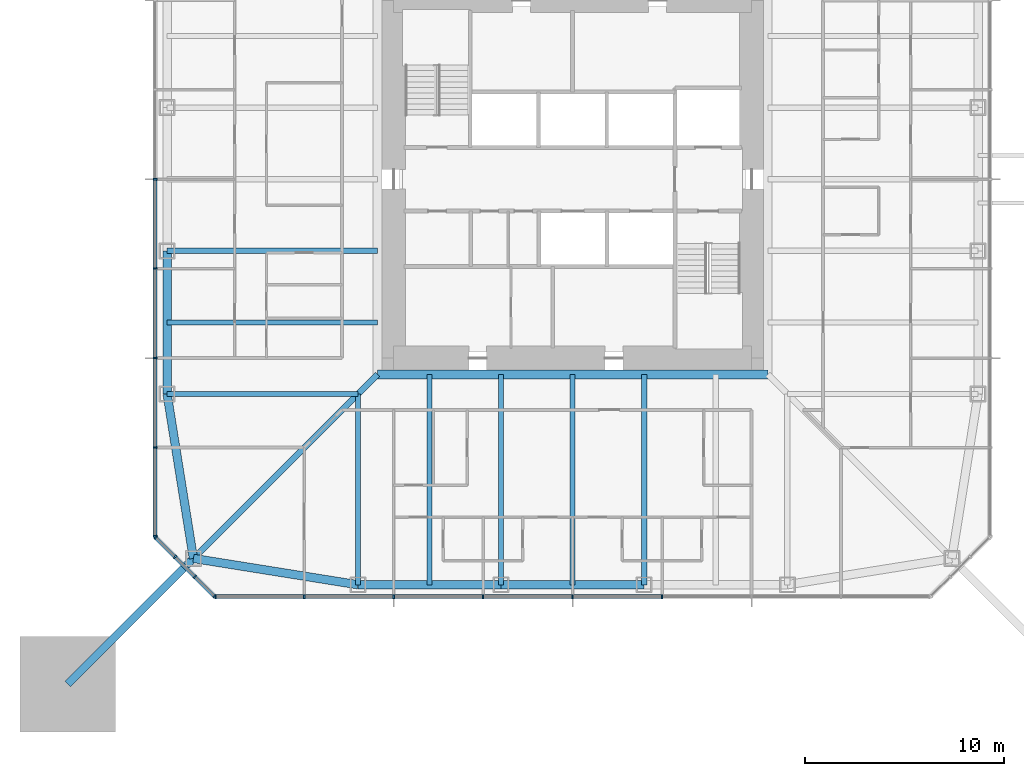
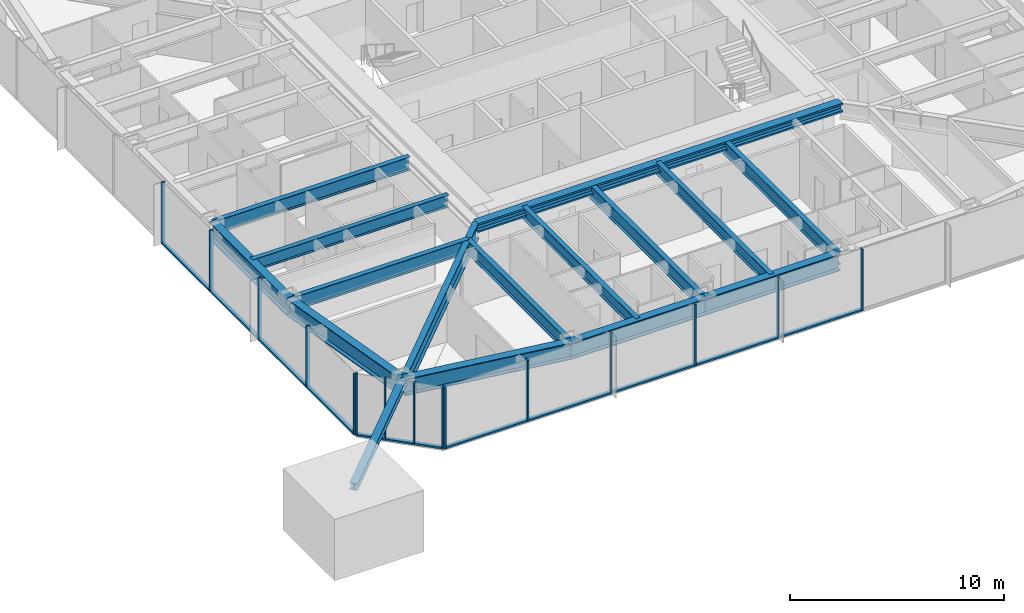
# One storey, part 3 of 27: 28 members, 15 beams, 3 elements without a shape of their own.
"""IFC4 building model written with IfcOpenShell, lengths in metres."""

from ifc_helpers import new_model, si_unit, direction, frame, origin, origin_2d, place, context, subcontext, project, spatial, rectangle, i_section, extrude, material, material_profile, profile_set, type_object, element, aggregate, save


model = new_model("IFC4")

# Units and contexts
model_context = context("Model", 3, precision=1e-05, world=origin(), true_north=direction((0.0, 1.0)))
body_context = subcontext(model_context, "Body", "Model", "MODEL_VIEW")
ifc_project = project(units=[si_unit("LENGTHUNIT", "METRE"), si_unit("AREAUNIT", "SQUARE_METRE"), si_unit("VOLUMEUNIT", "CUBIC_METRE"), si_unit("PLANEANGLEUNIT", "RADIAN"), si_unit("MASSUNIT", "GRAM", prefix="KILO")], contexts=[model_context])

# Site, building, storey
site_placement = place(None, origin())
site = spatial("IfcSite", under=ifc_project, at=site_placement, CompositionType="ELEMENT")
building_placement = place(site_placement, origin())
building = spatial("IfcBuilding", under=site, at=building_placement, Name="Iwan Alto Co-Living Towers", CompositionType="ELEMENT")
storey_placement = place(building_placement, frame((0.0, 0.0, 94.5)))
storey = spatial("IfcBuildingStorey", under=building, at=storey_placement, Name="L25", CompositionType="ELEMENT", Elevation=94.5)

# Curtain wall, members
ifc_material_1 = material(Name="Bronze aluminium unitised frame", Category="aluminium")
curtain_wall_type_1 = type_object("IfcCurtainWallType", Name="CURTAIN WALL CW-A", PredefinedType="NOTDEFINED", material=ifc_material_1)
curtain_wall_1_placement = place(storey_placement, origin())
curtain_wall_1 = element("IfcCurtainWall", 1, at=curtain_wall_1_placement, inside=storey, type_object=curtain_wall_type_1, Name="T1 curtain wall S L25", PredefinedType="NOTDEFINED")
ifc_material_2 = material(Name="Aluminium 6063-T6 bronze anodised", Category="aluminium")
ifc_material_profile_1 = material_profile(ifc_material_2, rectangle(XDim=0.199951171875, YDim=0.080078125, at=origin_2d()), Name="AL 80X200")
ifc_profile_set_1 = profile_set([ifc_material_profile_1], Name="Aluminium 6063-T6 bronze anodised")
member_type_1 = type_object("IfcMemberType", Name="CW-A MULLION 80X200", PredefinedType="MULLION", material=ifc_profile_set_1)
member_1_placement = place(storey_placement, frame((-17.9599609375, -21.0, 0.0), z_axis=(0.0, 0.0, 1.0), x_axis=(0.0, 1.0, 0.0)))
member_1 = element("IfcMember", 2, at=member_1_placement, type_object=member_type_1, Name="CW-A mullion 1", PredefinedType="MULLION", context=body_context, shape_type="SweptSolid", body=[
    extrude(rectangle(XDim=0.199951171875, YDim=0.080078125, at=origin_2d()), origin(), (0.0, 0.0, 1.0), 3.5),
])
member_2_placement = place(storey_placement, frame((-13.5, -21.0, 0.0), z_axis=(0.0, 0.0, 1.0), x_axis=(0.0, 1.0, 0.0)))
member_2 = element("IfcMember", 3, at=member_2_placement, type_object=member_type_1, Name="CW-A mullion 2", PredefinedType="MULLION", context=body_context, shape_type="SweptSolid", body=[
    extrude(rectangle(XDim=0.199951171875, YDim=0.080078125, at=origin_2d()), origin(), (0.0, 0.0, 1.0), 3.5),
])
member_3_placement = place(storey_placement, frame((-9.0, -21.0, 0.0), z_axis=(0.0, 0.0, 1.0), x_axis=(0.0, 1.0, 0.0)))
member_3 = element("IfcMember", 4, at=member_3_placement, type_object=member_type_1, Name="CW-A mullion 3", PredefinedType="MULLION", context=body_context, shape_type="SweptSolid", body=[
    extrude(rectangle(XDim=0.199951171875, YDim=0.080078125, at=origin_2d()), origin(), (0.0, 0.0, 1.0), 3.5),
])
member_4_placement = place(storey_placement, frame((-4.5, -21.0, 0.0), z_axis=(0.0, 0.0, 1.0), x_axis=(0.0, 1.0, 0.0)))
member_4 = element("IfcMember", 5, at=member_4_placement, type_object=member_type_1, Name="CW-A mullion 4", PredefinedType="MULLION", context=body_context, shape_type="SweptSolid", body=[
    extrude(rectangle(XDim=0.199951171875, YDim=0.080078125, at=origin_2d()), origin(), (0.0, 0.0, 1.0), 3.5),
])
member_5_placement = place(storey_placement, frame((0.0, -21.0, 0.0), z_axis=(0.0, 0.0, 1.0), x_axis=(0.0, 1.0, 0.0)))
member_5 = element("IfcMember", 6, at=member_5_placement, type_object=member_type_1, Name="CW-A mullion 5", PredefinedType="MULLION", context=body_context, shape_type="SweptSolid", body=[
    extrude(rectangle(XDim=0.199951171875, YDim=0.080078125, at=origin_2d()), origin(), (0.0, 0.0, 1.0), 3.5),
])
member_6_placement = place(storey_placement, frame((4.5, -21.0, 0.0), z_axis=(0.0, 0.0, 1.0), x_axis=(0.0, 1.0, 0.0)))
member_6 = element("IfcMember", 7, at=member_6_placement, type_object=member_type_1, Name="CW-A mullion 6", PredefinedType="MULLION", context=body_context, shape_type="SweptSolid", body=[
    extrude(rectangle(XDim=0.199951171875, YDim=0.080078125, at=origin_2d()), origin(), (0.0, 0.0, 1.0), 3.5),
])

curtain_wall_2_placement = place(storey_placement, origin())
curtain_wall_2 = element("IfcCurtainWall", 8, at=curtain_wall_2_placement, inside=storey, type_object=curtain_wall_type_1, Name="T1 curtain wall W L25", PredefinedType="NOTDEFINED")
member_7_placement = place(storey_placement, frame((-21.0, 0.0, 0.0), z_axis=(0.0, 0.0, 1.0), x_axis=(1.0, 0.0, 0.0)))
member_7 = element("IfcMember", 9, at=member_7_placement, type_object=member_type_1, Name="CW-A mullion 5", PredefinedType="MULLION", context=body_context, shape_type="SweptSolid", body=[
    extrude(rectangle(XDim=0.199951171875, YDim=0.080078125, at=origin_2d()), origin(), (0.0, 0.0, 1.0), 3.5),
])
member_8_placement = place(storey_placement, frame((-21.0, -4.5, 0.0), z_axis=(0.0, 0.0, 1.0), x_axis=(1.0, 0.0, 0.0)))
member_8 = element("IfcMember", 10, at=member_8_placement, type_object=member_type_1, Name="CW-A mullion 6", PredefinedType="MULLION", context=body_context, shape_type="SweptSolid", body=[
    extrude(rectangle(XDim=0.199951171875, YDim=0.080078125, at=origin_2d()), origin(), (0.0, 0.0, 1.0), 3.5),
])
member_9_placement = place(storey_placement, frame((-21.0, -9.0, 0.0), z_axis=(0.0, 0.0, 1.0), x_axis=(1.0, 0.0, 0.0)))
member_9 = element("IfcMember", 11, at=member_9_placement, type_object=member_type_1, Name="CW-A mullion 7", PredefinedType="MULLION", context=body_context, shape_type="SweptSolid", body=[
    extrude(rectangle(XDim=0.199951171875, YDim=0.080078125, at=origin_2d()), origin(), (0.0, 0.0, 1.0), 3.5),
])
member_10_placement = place(storey_placement, frame((-21.0, -13.5, 0.0), z_axis=(0.0, 0.0, 1.0), x_axis=(1.0, 0.0, 0.0)))
member_10 = element("IfcMember", 12, at=member_10_placement, type_object=member_type_1, Name="CW-A mullion 8", PredefinedType="MULLION", context=body_context, shape_type="SweptSolid", body=[
    extrude(rectangle(XDim=0.199951171875, YDim=0.080078125, at=origin_2d()), origin(), (0.0, 0.0, 1.0), 3.5),
])
member_11_placement = place(storey_placement, frame((-21.0, -17.9599609375, 0.0), z_axis=(0.0, 0.0, 1.0), x_axis=(1.0, 0.0, 0.0)))
member_11 = element("IfcMember", 13, at=member_11_placement, type_object=member_type_1, Name="CW-A mullion 9", PredefinedType="MULLION", context=body_context, shape_type="SweptSolid", body=[
    extrude(rectangle(XDim=0.199951171875, YDim=0.080078125, at=origin_2d()), origin(), (0.0, 0.0, 1.0), 3.5),
])

# Member
ifc_material_3 = material(Name="Aluminium 6063-T6 bronze anodised", Category="aluminium")
ifc_material_profile_2 = material_profile(ifc_material_3, rectangle(XDim=0.199951171875, YDim=0.10009765625, at=origin_2d()), Name="AL 200X100")
ifc_profile_set_2 = profile_set([ifc_material_profile_2], Name="Aluminium 6063-T6 bronze anodised")
member_type_2 = type_object("IfcMemberType", Name="CW-A TRANSOM 200X100", PredefinedType="USERDEFINED", material=ifc_profile_set_2)
member_12_placement = place(storey_placement, frame((-17.919921875, -21.0, 0.050048828125), z_axis=(1.0, 0.0, 0.0), x_axis=(0.0, 1.0, 0.0)))
member_12 = element("IfcMember", 14, at=member_12_placement, type_object=member_type_2, Name="CW-A transom 1.1", ObjectType="TRANSOM", PredefinedType="USERDEFINED", context=body_context, shape_type="SweptSolid", body=[
    extrude(rectangle(XDim=0.199951171875, YDim=0.10009765625, at=origin_2d()), origin(), (0.0, 0.0, 1.0), 4.3798828125),
])

member_13_placement = place(storey_placement, frame((-13.4599609375, -21.0, 0.050048828125), z_axis=(1.0, 0.0, 0.0), x_axis=(0.0, 1.0, 0.0)))
member_13 = element("IfcMember", 15, at=member_13_placement, type_object=member_type_2, Name="CW-A transom 2.1", ObjectType="TRANSOM", PredefinedType="USERDEFINED", context=body_context, shape_type="SweptSolid", body=[
    extrude(rectangle(XDim=0.199951171875, YDim=0.10009765625, at=origin_2d()), origin(), (0.0, 0.0, 1.0), 4.419921875),
])

member_14_placement = place(storey_placement, frame((-8.9599609375, -21.0, 0.050048828125), z_axis=(1.0, 0.0, 0.0), x_axis=(0.0, 1.0, 0.0)))
member_14 = element("IfcMember", 16, at=member_14_placement, type_object=member_type_2, Name="CW-A transom 3.1", ObjectType="TRANSOM", PredefinedType="USERDEFINED", context=body_context, shape_type="SweptSolid", body=[
    extrude(rectangle(XDim=0.199951171875, YDim=0.10009765625, at=origin_2d()), origin(), (0.0, 0.0, 1.0), 4.419921875),
])

member_15_placement = place(storey_placement, frame((-4.4599609375, -21.0, 0.050048828125), z_axis=(1.0, 0.0, 0.0), x_axis=(0.0, 1.0, 0.0)))
member_15 = element("IfcMember", 17, at=member_15_placement, type_object=member_type_2, Name="CW-A transom 4.1", ObjectType="TRANSOM", PredefinedType="USERDEFINED", context=body_context, shape_type="SweptSolid", body=[
    extrude(rectangle(XDim=0.199951171875, YDim=0.10009765625, at=origin_2d()), origin(), (0.0, 0.0, 1.0), 4.419921875),
])

member_16_placement = place(storey_placement, frame((0.0400390625, -21.0, 0.050048828125), z_axis=(1.0, 0.0, 0.0), x_axis=(0.0, 1.0, 0.0)))
member_16 = element("IfcMember", 18, at=member_16_placement, type_object=member_type_2, Name="CW-A transom 5.1", ObjectType="TRANSOM", PredefinedType="USERDEFINED", context=body_context, shape_type="SweptSolid", body=[
    extrude(rectangle(XDim=0.199951171875, YDim=0.10009765625, at=origin_2d()), origin(), (0.0, 0.0, 1.0), 4.419921875),
])

aggregate(curtain_wall_1, [member_1, member_2, member_3, member_4, member_5, member_6, member_12, member_13, member_14, member_15, member_16])

member_17_placement = place(storey_placement, frame((-21.0, -0.0400390625, 0.050048828125), z_axis=(0.0, -1.0, 0.0), x_axis=(1.0, 0.0, 0.0)))
member_17 = element("IfcMember", 19, at=member_17_placement, type_object=member_type_2, Name="CW-A transom 5.1", ObjectType="TRANSOM", PredefinedType="USERDEFINED", context=body_context, shape_type="SweptSolid", body=[
    extrude(rectangle(XDim=0.199951171875, YDim=0.10009765625, at=origin_2d()), origin(), (0.0, 0.0, 1.0), 4.419921875),
])

member_18_placement = place(storey_placement, frame((-21.0, -4.5400390625, 0.050048828125), z_axis=(0.0, -1.0, 0.0), x_axis=(1.0, 0.0, 0.0)))
member_18 = element("IfcMember", 20, at=member_18_placement, type_object=member_type_2, Name="CW-A transom 6.1", ObjectType="TRANSOM", PredefinedType="USERDEFINED", context=body_context, shape_type="SweptSolid", body=[
    extrude(rectangle(XDim=0.199951171875, YDim=0.10009765625, at=origin_2d()), origin(), (0.0, 0.0, 1.0), 4.419921875),
])

member_19_placement = place(storey_placement, frame((-21.0, -9.0400390625, 0.050048828125), z_axis=(0.0, -1.0, 0.0), x_axis=(1.0, 0.0, 0.0)))
member_19 = element("IfcMember", 21, at=member_19_placement, type_object=member_type_2, Name="CW-A transom 7.1", ObjectType="TRANSOM", PredefinedType="USERDEFINED", context=body_context, shape_type="SweptSolid", body=[
    extrude(rectangle(XDim=0.199951171875, YDim=0.10009765625, at=origin_2d()), origin(), (0.0, 0.0, 1.0), 4.419921875),
])

member_20_placement = place(storey_placement, frame((-21.0, -13.5400390625, 0.050048828125), z_axis=(0.0, -1.0, 0.0), x_axis=(1.0, 0.0, 0.0)))
member_20 = element("IfcMember", 22, at=member_20_placement, type_object=member_type_2, Name="CW-A transom 8.1", ObjectType="TRANSOM", PredefinedType="USERDEFINED", context=body_context, shape_type="SweptSolid", body=[
    extrude(rectangle(XDim=0.199951171875, YDim=0.10009765625, at=origin_2d()), origin(), (0.0, 0.0, 1.0), 4.3798828125),
])

aggregate(curtain_wall_2, [member_7, member_8, member_9, member_10, member_11, member_17, member_18, member_19, member_20])

# Curtain wall, members
ifc_material_4 = material(Name="Bronze aluminium unitised frame", Category="aluminium")
curtain_wall_type_2 = type_object("IfcCurtainWallType", Name="CURTAIN WALL CW-B", PredefinedType="NOTDEFINED", material=ifc_material_4)
curtain_wall_3_placement = place(storey_placement, origin())
curtain_wall_3 = element("IfcCurtainWall", 23, at=curtain_wall_3_placement, inside=storey, type_object=curtain_wall_type_2, Name="T1 chamfer curtain wall SW L25", PredefinedType="NOTDEFINED")
ifc_material_5 = material(Name="Aluminium 6063-T6 bronze anodised", Category="aluminium")
ifc_material_profile_3 = material_profile(ifc_material_5, rectangle(XDim=0.199951171875, YDim=0.080078125, at=origin_2d()), Name="AL 80X200")
ifc_profile_set_3 = profile_set([ifc_material_profile_3], Name="Aluminium 6063-T6 bronze anodised")
member_type_3 = type_object("IfcMemberType", Name="CW-B MULLION 80X200", PredefinedType="MULLION", material=ifc_profile_set_3)
member_21_placement = place(storey_placement, frame((-20.9716796875, -18.0283203125, 0.0), z_axis=(0.0, 0.0, 1.0), x_axis=(0.707106781187, 0.707106781187, 0.0)))
member_21 = element("IfcMember", 24, at=member_21_placement, type_object=member_type_3, Name="CW-B mullion 1", PredefinedType="MULLION", context=body_context, shape_type="SweptSolid", body=[
    extrude(rectangle(XDim=0.199951171875, YDim=0.080078125, at=origin_2d()), origin(), (0.0, 0.0, 1.0), 3.5),
])
member_22_placement = place(storey_placement, frame((-20.0, -19.0, 0.0), z_axis=(0.0, 0.0, 1.0), x_axis=(0.707106781187, 0.707106781187, 0.0)))
member_22 = element("IfcMember", 25, at=member_22_placement, type_object=member_type_3, Name="CW-B mullion 2", PredefinedType="MULLION", context=body_context, shape_type="SweptSolid", body=[
    extrude(rectangle(XDim=0.199951171875, YDim=0.080078125, at=origin_2d()), origin(), (0.0, 0.0, 1.0), 3.5),
])
member_23_placement = place(storey_placement, frame((-19.0, -20.0, 0.0), z_axis=(0.0, 0.0, 1.0), x_axis=(0.707106781187, 0.707106781187, 0.0)))
member_23 = element("IfcMember", 26, at=member_23_placement, type_object=member_type_3, Name="CW-B mullion 3", PredefinedType="MULLION", context=body_context, shape_type="SweptSolid", body=[
    extrude(rectangle(XDim=0.199951171875, YDim=0.080078125, at=origin_2d()), origin(), (0.0, 0.0, 1.0), 3.5),
])
member_24_placement = place(storey_placement, frame((-18.0283203125, -20.9716796875, 0.0), z_axis=(0.0, 0.0, 1.0), x_axis=(0.707106781187, 0.707106781187, 0.0)))
member_24 = element("IfcMember", 27, at=member_24_placement, type_object=member_type_3, Name="CW-B mullion 4", PredefinedType="MULLION", context=body_context, shape_type="SweptSolid", body=[
    extrude(rectangle(XDim=0.199951171875, YDim=0.080078125, at=origin_2d()), origin(), (0.0, 0.0, 1.0), 3.5),
])
ifc_material_6 = material(Name="Aluminium 6063-T6 bronze anodised", Category="aluminium")
ifc_material_profile_4 = material_profile(ifc_material_6, rectangle(XDim=0.199951171875, YDim=0.10009765625, at=origin_2d()), Name="AL 200X100")
ifc_profile_set_4 = profile_set([ifc_material_profile_4], Name="Aluminium 6063-T6 bronze anodised")
member_type_4 = type_object("IfcMemberType", Name="CW-B TRANSOM 200X100", PredefinedType="USERDEFINED", material=ifc_profile_set_4)
member_25_placement = place(storey_placement, frame((-20.943359375, -18.056640625, 0.050048828125), z_axis=(0.707106781187, -0.707106781187, 0.0), x_axis=(0.707106781187, 0.707106781187, 0.0)))
member_25 = element("IfcMember", 28, at=member_25_placement, type_object=member_type_4, Name="CW-B transom 1.1", ObjectType="TRANSOM", PredefinedType="USERDEFINED", context=body_context, shape_type="SweptSolid", body=[
    extrude(rectangle(XDim=0.199951171875, YDim=0.10009765625, at=origin_2d()), origin(), (0.0, 0.0, 1.0), 1.2939453125),
])
member_26_placement = place(storey_placement, frame((-19.9716796875, -19.0283203125, 0.050048828125), z_axis=(0.707106781187, -0.707106781187, 0.0), x_axis=(0.707106781187, 0.707106781187, 0.0)))
member_26 = element("IfcMember", 29, at=member_26_placement, type_object=member_type_4, Name="CW-B transom 2.1", ObjectType="TRANSOM", PredefinedType="USERDEFINED", context=body_context, shape_type="SweptSolid", body=[
    extrude(rectangle(XDim=0.199951171875, YDim=0.10009765625, at=origin_2d()), origin(), (0.0, 0.0, 1.0), 1.334228515625),
])
member_27_placement = place(storey_placement, frame((-18.9716796875, -20.0283203125, 0.050048828125), z_axis=(0.707106781187, -0.707106781187, 0.0), x_axis=(0.707106781187, 0.707106781187, 0.0)))
member_27 = element("IfcMember", 30, at=member_27_placement, type_object=member_type_4, Name="CW-B transom 3.1", ObjectType="TRANSOM", PredefinedType="USERDEFINED", context=body_context, shape_type="SweptSolid", body=[
    extrude(rectangle(XDim=0.199951171875, YDim=0.10009765625, at=origin_2d()), origin(), (0.0, 0.0, 1.0), 1.2939453125),
])
aggregate(curtain_wall_3, [member_21, member_22, member_23, member_24, member_25, member_26, member_27])

# Beams
ifc_material_7 = material(Name="Steel ASTM A992 Gr 50", Category="steel")
ifc_material_profile_5 = material_profile(ifc_material_7, i_section(OverallWidth=0.436767578125, OverallDepth=0.51318359375, WebThickness=0.060546875, FlangeThickness=0.096923828125, at=origin_2d()), Name="W14X550")
ifc_profile_set_5 = profile_set([ifc_material_profile_5], Name="Steel ASTM A992 Gr 50")
beam_type_1 = type_object("IfcBeamType", Name="T1 CORE LEDGER BEAM W14X550", PredefinedType="BEAM", material=ifc_profile_set_5)
beam_1_placement = place(storey_placement, frame((-9.818359375, -9.818359375, 3.013427734375), z_axis=(1.0, 0.0, 0.0), x_axis=(0.0, 1.0, 0.0)))
element("IfcBeam", 31, at=beam_1_placement, inside=storey, type_object=beam_type_1, Name="T1 core ledger beam S L26", PredefinedType="BEAM", context=body_context, shape_type="SweptSolid", body=[
    extrude(i_section(OverallWidth=0.436767578125, OverallDepth=0.51318359375, WebThickness=0.060546875, FlangeThickness=0.096923828125, at=origin_2d()), origin(), (0.0, 0.0, 1.0), 19.63671875),
])
ifc_material_8 = material(Name="Steel ASTM A992 Gr 50", Category="steel")
ifc_material_profile_6 = material_profile(ifc_material_8, i_section(OverallWidth=0.307373046875, OverallDepth=0.927001953125, WebThickness=0.01953125, FlangeThickness=0.031982421875, at=origin_2d()), Name="W36X194")
ifc_profile_set_6 = profile_set([ifc_material_profile_6], Name="Steel ASTM A992 Gr 50")
beam_type_2 = type_object("IfcBeamType", Name="T1 CORNER GIRDER W36X194", PredefinedType="BEAM", material=ifc_profile_set_6)
beam_2_placement = place(storey_placement, frame((-19.07568359375, -19.07568359375, 2.806396484375), z_axis=(0.707106781187, 0.707106781187, 0.0), x_axis=(-0.707106781187, 0.707106781187, 0.0)))
element("IfcBeam", 32, at=beam_2_placement, inside=storey, type_object=beam_type_2, Name="T1 corner girder CSW L26", PredefinedType="BEAM", context=body_context, shape_type="SweptSolid", body=[
    extrude(i_section(OverallWidth=0.307373046875, OverallDepth=0.927001953125, WebThickness=0.01953125, FlangeThickness=0.031982421875, at=origin_2d()), origin(), (0.0, 0.0, 1.0), 13.091796875),
])
ifc_material_9 = material(Name="Steel ASTM A992 Gr 50", Category="steel")
ifc_material_profile_7 = material_profile(ifc_material_9, i_section(OverallWidth=0.424072265625, OverallDepth=0.947509765625, WebThickness=0.02392578125, FlangeThickness=0.042724609375, at=origin_2d()), Name="W36X302")
ifc_profile_set_7 = profile_set([ifc_material_profile_7], Name="Steel ASTM A992 Gr 50")
beam_type_3 = type_object("IfcBeamType", Name="T1 EDGE BEAM W36X302", PredefinedType="BEAM", material=ifc_profile_set_7)
beam_3_placement = place(storey_placement, frame((-19.07568359375, -19.07568359375, 2.79638671875), z_axis=(0.987438450439, -0.158004134737, 0.0), x_axis=(0.158004134737, 0.987438450439, 0.0)))
element("IfcBeam", 33, at=beam_3_placement, inside=storey, type_object=beam_type_3, Name="T1 edge beam CSW L26", PredefinedType="BEAM", context=body_context, shape_type="SweptSolid", body=[
    extrude(i_section(OverallWidth=0.424072265625, OverallDepth=0.947509765625, WebThickness=0.02392578125, FlangeThickness=0.042724609375, at=origin_2d()), origin(), (0.0, 0.0, 1.0), 8.380859375),
])
beam_4_placement = place(storey_placement, frame((-10.800048828125, -20.39990234375, 2.79638671875), z_axis=(1.0, 0.0, 0.0), x_axis=(0.0, 1.0, 0.0)))
element("IfcBeam", 34, at=beam_4_placement, inside=storey, type_object=beam_type_3, Name="T1 edge beam S1 L26", PredefinedType="BEAM", context=body_context, shape_type="SweptSolid", body=[
    extrude(i_section(OverallWidth=0.424072265625, OverallDepth=0.947509765625, WebThickness=0.02392578125, FlangeThickness=0.042724609375, at=origin_2d()), origin(), (0.0, 0.0, 1.0), 7.199951171875),
])
beam_5_placement = place(storey_placement, frame((-3.60009765625, -20.39990234375, 2.79638671875), z_axis=(1.0, 0.0, 0.0), x_axis=(0.0, 1.0, 0.0)))
element("IfcBeam", 35, at=beam_5_placement, inside=storey, type_object=beam_type_3, Name="T1 edge beam S2 L26", PredefinedType="BEAM", context=body_context, shape_type="SweptSolid", body=[
    extrude(i_section(OverallWidth=0.424072265625, OverallDepth=0.947509765625, WebThickness=0.02392578125, FlangeThickness=0.042724609375, at=origin_2d()), origin(), (0.0, 0.0, 1.0), 7.2001953125),
])
beam_6_placement = place(storey_placement, frame((-20.39990234375, -3.60009765625, 2.79638671875), z_axis=(0.0, -1.0, 0.0), x_axis=(1.0, 0.0, 0.0)))
element("IfcBeam", 36, at=beam_6_placement, inside=storey, type_object=beam_type_3, Name="T1 edge beam W3 L26", PredefinedType="BEAM", context=body_context, shape_type="SweptSolid", body=[
    extrude(i_section(OverallWidth=0.424072265625, OverallDepth=0.947509765625, WebThickness=0.02392578125, FlangeThickness=0.042724609375, at=origin_2d()), origin(), (0.0, 0.0, 1.0), 7.199951171875),
])
beam_7_placement = place(storey_placement, frame((-20.39990234375, -10.800048828125, 2.79638671875), z_axis=(0.158004134737, -0.987438450439, 0.0), x_axis=(0.987438450439, 0.158004134737, 0.0)))
element("IfcBeam", 37, at=beam_7_placement, inside=storey, type_object=beam_type_3, Name="T1 edge beam W4 L26", PredefinedType="BEAM", context=body_context, shape_type="SweptSolid", body=[
    extrude(i_section(OverallWidth=0.424072265625, OverallDepth=0.947509765625, WebThickness=0.02392578125, FlangeThickness=0.042724609375, at=origin_2d()), origin(), (0.0, 0.0, 1.0), 8.380859375),
])

# Member
ifc_material_10 = material(Name="Steel ASTM A992 Gr 50", Category="steel")
ifc_material_profile_8 = material_profile(ifc_material_10, i_section(OverallWidth=0.393798828125, OverallDepth=0.3759765625, WebThickness=0.017333984375, FlangeThickness=0.027587890625, at=origin_2d()), Name="W14X145")
ifc_profile_set_8 = profile_set([ifc_material_profile_8], Name="Steel ASTM A992 Gr 50")
member_type_5 = type_object("IfcMemberType", Name="T1 MEGA COLUMN FLOOR TIE W14X145", PredefinedType="STRUT", material=ifc_profile_set_8)
member_28_placement = place(storey_placement, frame((-25.39990234375, -25.39990234375, 3.08203125), z_axis=(0.707106781187, 0.707106781187, 0.0), x_axis=(-0.707106781187, 0.707106781187, 0.0)))
element("IfcMember", 38, at=member_28_placement, inside=storey, type_object=member_type_5, Name="T1 mega column floor tie SW L26", PredefinedType="STRUT", context=body_context, shape_type="SweptSolid", body=[
    extrude(i_section(OverallWidth=0.393798828125, OverallDepth=0.3759765625, WebThickness=0.017333984375, FlangeThickness=0.027587890625, at=origin_2d()), origin(), (0.0, 0.0, 1.0), 8.94384765625),
])

# Beams
ifc_material_11 = material(Name="Steel ASTM A992 Gr 50", Category="steel")
ifc_material_profile_9 = material_profile(ifc_material_11, i_section(OverallWidth=0.2666015625, OverallDepth=0.761962890625, WebThickness=0.014404296875, FlangeThickness=0.021484375, at=origin_2d()), Name="W30X116")
ifc_profile_set_9 = profile_set([ifc_material_profile_9], Name="Steel ASTM A992 Gr 50")
beam_type_4 = type_object("IfcBeamType", Name="T1 RADIAL BEAM W30X116", PredefinedType="BEAM", material=ifc_profile_set_9)
beam_8_placement = place(storey_placement, frame((-10.800048828125, -20.39990234375, 2.888916015625), z_axis=(0.0, 1.0, 0.0), x_axis=(-1.0, 0.0, 0.0)))
element("IfcBeam", 39, at=beam_8_placement, inside=storey, type_object=beam_type_4, Name="T1 radial beam S1 L26", PredefinedType="BEAM", context=body_context, shape_type="SweptSolid", body=[
    extrude(i_section(OverallWidth=0.2666015625, OverallDepth=0.761962890625, WebThickness=0.014404296875, FlangeThickness=0.021484375, at=origin_2d()), origin(), (0.0, 0.0, 1.0), 9.599853515625),
])
for number, where, z_axis, x_axis, name in (
    (40, (-3.60009765625, -20.39990234375, 2.888916015625), (0.0, 1.0, 0.0), (-1.0, 0.0, 0.0), "T1 radial beam S2 L26"),
    (41, (3.60009765625, -20.39990234375, 2.888916015625), (0.0, 1.0, 0.0), (-1.0, 0.0, 0.0), "T1 radial beam S3 L26"),
    (42, (-20.39990234375, -3.60009765625, 2.888916015625), (1.0, 0.0, 0.0), (0.0, 1.0, 0.0), "T1 radial beam W3 L26"),
):
    element("IfcBeam", number, at=place(storey_placement, frame(where, z_axis=z_axis, x_axis=x_axis)), inside=storey, type_object=beam_type_4, Name=name, PredefinedType="BEAM", context=body_context, shape_type="SweptSolid", body=[
        extrude(i_section(OverallWidth=0.2666015625, OverallDepth=0.761962890625, WebThickness=0.014404296875, FlangeThickness=0.021484375, at=origin_2d()), origin(), (0.0, 0.0, 1.0), 10.58154296875),
    ])
beam_9_placement = place(storey_placement, frame((-20.39990234375, -10.800048828125, 2.888916015625), z_axis=(1.0, 0.0, 0.0), x_axis=(0.0, 1.0, 0.0)))
element("IfcBeam", 43, at=beam_9_placement, inside=storey, type_object=beam_type_4, Name="T1 radial beam W4 L26", PredefinedType="BEAM", context=body_context, shape_type="SweptSolid", body=[
    extrude(i_section(OverallWidth=0.2666015625, OverallDepth=0.761962890625, WebThickness=0.014404296875, FlangeThickness=0.021484375, at=origin_2d()), origin(), (0.0, 0.0, 1.0), 9.599853515625),
])
ifc_material_12 = material(Name="Steel ASTM A992 Gr 50", Category="steel")
ifc_material_profile_10 = material_profile(ifc_material_12, i_section(OverallWidth=0.25390625, OverallDepth=0.683349609375, WebThickness=0.012451171875, FlangeThickness=0.018798828125, at=origin_2d()), Name="W27X94")
ifc_profile_set_10 = profile_set([ifc_material_profile_10], Name="Steel ASTM A992 Gr 50")
beam_type_5 = type_object("IfcBeamType", Name="T1 SECONDARY BEAM W27X94", PredefinedType="JOIST", material=ifc_profile_set_10)
for number, where, z_axis, x_axis, name in (
    (44, (-7.199951171875, -20.39990234375, 2.928466796875), (0.0, 1.0, 0.0), (-1.0, 0.0, 0.0), "T1 secondary beam S1 L26"),
    (45, (0.0, -20.39990234375, 2.928466796875), (0.0, 1.0, 0.0), (-1.0, 0.0, 0.0), "T1 secondary beam S2 L26"),
    (46, (-20.39990234375, -7.199951171875, 2.928466796875), (1.0, 0.0, 0.0), (0.0, 1.0, 0.0), "T1 secondary beam W3 L26"),
):
    element("IfcBeam", number, at=place(storey_placement, frame(where, z_axis=z_axis, x_axis=x_axis)), inside=storey, type_object=beam_type_5, Name=name, PredefinedType="JOIST", context=body_context, shape_type="SweptSolid", body=[
        extrude(i_section(OverallWidth=0.25390625, OverallDepth=0.683349609375, WebThickness=0.012451171875, FlangeThickness=0.018798828125, at=origin_2d()), origin(), (0.0, 0.0, 1.0), 10.58154296875),
    ])

save(model, "model.ifc")
